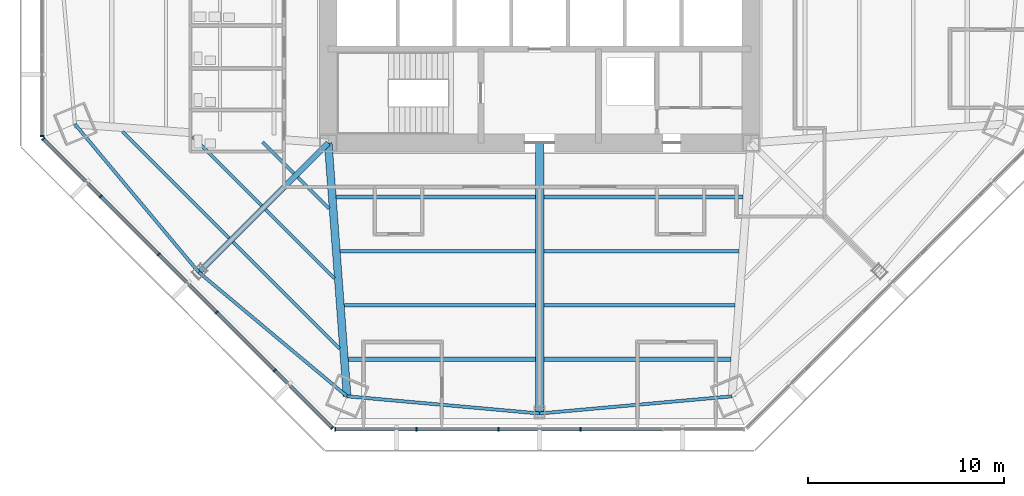
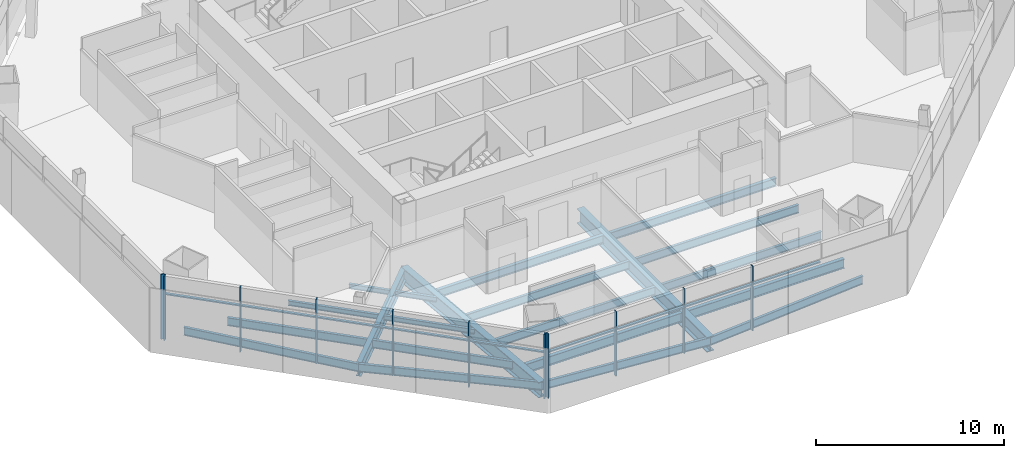
# One storey, part 2 of 17: 21 beams, 20 members, 3 elements without a shape of their own.
"""IFC4 building model written with IfcOpenShell, lengths in metres."""

from ifc_helpers import new_model, si_unit, direction, frame, origin, origin_2d, place, context, subcontext, project, spatial, rectangle, i_section, extrude, source, transform, mapped, material, material_profile, profile_set, type_object, type_shapes, element, aggregate, save


model = new_model("IFC4")

# Units and contexts
model_context = context("Model", 3, precision=1e-05, world=origin(), true_north=direction((0.0, 1.0)))
body_context = subcontext(model_context, "Body", "Model", "MODEL_VIEW")
ifc_project = project(units=[si_unit("LENGTHUNIT", "METRE"), si_unit("AREAUNIT", "SQUARE_METRE"), si_unit("VOLUMEUNIT", "CUBIC_METRE"), si_unit("PLANEANGLEUNIT", "RADIAN"), si_unit("MASSUNIT", "GRAM", prefix="KILO")], contexts=[model_context])

# Site, building, storey
site_placement = place(None, origin())
site = spatial("IfcSite", under=ifc_project, at=site_placement, CompositionType="ELEMENT")
building_placement = place(site_placement, origin())
building = spatial("IfcBuilding", under=site, at=building_placement, Name="Mashrafa Tower", CompositionType="ELEMENT")
storey_placement = place(building_placement, frame((0.0, 0.0, 91.800048828125)))
storey = spatial("IfcBuildingStorey", under=building, at=storey_placement, Name="L20", CompositionType="ELEMENT", Elevation=91.800048828125)

# Beams
ifc_material_1 = material(Name="Steel ASTM A992", Category="steel")
ifc_material_profile_1 = material_profile(ifc_material_1, i_section(OverallWidth=0.164794921875, OverallDepth=0.309814453125, WebThickness=0.005859375, FlangeThickness=0.009765625, FilletRadius=0.007568359375, at=origin_2d()), Name="W12X26")
ifc_profile_set_1 = profile_set([ifc_material_profile_1], Name="Steel ASTM A992")
beam_type_1 = type_object("IfcBeamType", Name="Beam W12X26", PredefinedType="BEAM", material=ifc_profile_set_1)
beam_1_placement = place(storey_placement, frame((-14.208740234375, -14.002197265625, -0.320068359375), z_axis=(-0.707082237816, 0.707131323705, 0.0), x_axis=(-0.707131323705, -0.707082237816, 0.0)))
element("IfcBeam", 1, at=beam_1_placement, inside=storey, type_object=beam_type_1, Name="Floor beam L20 012", PredefinedType="BEAM", context=body_context, shape_type="SweptSolid", body=[
    extrude(i_section(OverallWidth=0.164794921875, OverallDepth=0.309814453125, WebThickness=0.005859375, FlangeThickness=0.009765625, FilletRadius=0.007568359375, at=origin_2d()), origin(), (0.0, 0.0, 1.0), 4.9736328125),
])
for number, where, z_axis, x_axis, name in (
    (2, (-12.555908203125, -12.349365234375, -0.320068359375), (-0.707160785599, 0.707052772649, 0.0), (-0.707052772649, -0.707160785599, 0.0), "Floor beam L20 016"),
    (3, (-10.751220703125, -14.154296875, -0.320068359375), (-0.707052772649, 0.707160785599, 0.0), (-0.707160785599, -0.707052772649, 0.0), "Floor beam L20 019"),
):
    element("IfcBeam", number, at=place(storey_placement, frame(where, z_axis=z_axis, x_axis=x_axis)), inside=storey, type_object=beam_type_1, Name=name, PredefinedType="BEAM", context=body_context, shape_type="SweptSolid", body=[
        extrude(i_section(OverallWidth=0.164794921875, OverallDepth=0.309814453125, WebThickness=0.005859375, FlangeThickness=0.009765625, FilletRadius=0.007568359375, at=origin_2d()), origin(), (0.0, 0.0, 1.0), 2.26025390625),
    ])
beam_2_placement = place(storey_placement, frame((-10.485107421875, -17.7255859375, -0.320068359375), z_axis=(-0.707131323705, 0.707082237816, 0.0), x_axis=(-0.707082237816, -0.707131323705, 0.0)))
element("IfcBeam", 4, at=beam_2_placement, inside=storey, type_object=beam_type_1, Name="Floor beam L20 021", PredefinedType="BEAM", context=body_context, shape_type="SweptSolid", body=[
    extrude(i_section(OverallWidth=0.164794921875, OverallDepth=0.309814453125, WebThickness=0.005859375, FlangeThickness=0.009765625, FilletRadius=0.007568359375, at=origin_2d()), origin(), (0.0, 0.0, 1.0), 4.9736328125),
])
ifc_material_2 = material(Name="Steel ASTM A992", Category="steel")
ifc_material_profile_2 = material_profile(ifc_material_2, i_section(OverallWidth=0.165771484375, OverallDepth=0.5283203125, WebThickness=0.009765625, FlangeThickness=0.013671875, FilletRadius=0.012939453125, at=origin_2d()), Name="W21X50")
ifc_profile_set_2 = profile_set([ifc_material_profile_2], Name="Steel ASTM A992")
beam_type_2 = type_object("IfcBeamType", Name="Beam W21X50", PredefinedType="BEAM", material=ifc_profile_set_2)
for number, where, z_axis, x_axis, name in (
    (5, (-15.861328125, -15.65478515625, -0.42919921875), (-0.707106781187, 0.707106781187, 0.0), (-0.707106781187, -0.707106781187, 0.0), "Floor beam L20 009"),
    (6, (-10.21875, -21.29736328125, -0.42919921875), (-0.707106781187, 0.707106781187, 0.0), (-0.707106781187, -0.707106781187, 0.0), "Floor beam L20 023"),
):
    element("IfcBeam", number, at=place(storey_placement, frame(where, z_axis=z_axis, x_axis=x_axis)), inside=storey, type_object=beam_type_2, Name=name, PredefinedType="BEAM", context=body_context, shape_type="SweptSolid", body=[
        extrude(i_section(OverallWidth=0.165771484375, OverallDepth=0.5283203125, WebThickness=0.009765625, FlangeThickness=0.013671875, FilletRadius=0.012939453125, at=origin_2d()), origin(), (0.0, 0.0, 1.0), 7.687744140625),
    ])
beam_3_placement = place(storey_placement, frame((-0.212158203125, -19.093505859375, -0.42919921875), z_axis=(-1.0, 0.0, 0.0), x_axis=(0.0, -1.0, 0.0)))
element("IfcBeam", 7, at=beam_3_placement, inside=storey, type_object=beam_type_2, Name="Floor beam L20 026", PredefinedType="BEAM", context=body_context, shape_type="SweptSolid", body=[
    extrude(i_section(OverallWidth=0.165771484375, OverallDepth=0.5283203125, WebThickness=0.009765625, FlangeThickness=0.013671875, FilletRadius=0.012939453125, at=origin_2d()), origin(), (0.0, 0.0, 1.0), 9.7685546875),
])
beam_4_placement = place(storey_placement, frame((-0.212158203125, -16.3291015625, -0.42919921875), z_axis=(-1.0, 0.0, 0.0), x_axis=(0.0, -1.0, 0.0)))
element("IfcBeam", 8, at=beam_4_placement, inside=storey, type_object=beam_type_2, Name="Floor beam L20 027", PredefinedType="BEAM", context=body_context, shape_type="SweptSolid", body=[
    extrude(i_section(OverallWidth=0.165771484375, OverallDepth=0.5283203125, WebThickness=0.009765625, FlangeThickness=0.013671875, FilletRadius=0.012939453125, at=origin_2d()), origin(), (0.0, 0.0, 1.0), 9.974609375),
])
beam_5_placement = place(storey_placement, frame((9.980712890625, -19.093505859375, -0.42919921875), z_axis=(-1.0, 0.0, 0.0), x_axis=(0.0, -1.0, 0.0)))
element("IfcBeam", 9, at=beam_5_placement, inside=storey, type_object=beam_type_2, Name="Floor beam L20 035", PredefinedType="BEAM", context=body_context, shape_type="SweptSolid", body=[
    extrude(i_section(OverallWidth=0.165771484375, OverallDepth=0.5283203125, WebThickness=0.009765625, FlangeThickness=0.013671875, FilletRadius=0.012939453125, at=origin_2d()), origin(), (0.0, 0.0, 1.0), 9.7685546875),
])
beam_6_placement = place(storey_placement, frame((10.186767578125, -16.3291015625, -0.42919921875), z_axis=(-1.0, 0.0, 0.0), x_axis=(0.0, -1.0, 0.0)))
element("IfcBeam", 10, at=beam_6_placement, inside=storey, type_object=beam_type_2, Name="Floor beam L20 037", PredefinedType="BEAM", context=body_context, shape_type="SweptSolid", body=[
    extrude(i_section(OverallWidth=0.165771484375, OverallDepth=0.5283203125, WebThickness=0.009765625, FlangeThickness=0.013671875, FilletRadius=0.012939453125, at=origin_2d()), origin(), (0.0, 0.0, 1.0), 9.974609375),
])
for number, where, z_axis, x_axis, name in (
    (11, (-23.744384765625, -9.835205078125, -0.42919921875), (0.641431136102, -0.767180616047, 0.0), (0.767180616047, 0.641431136102, 0.0), "Spandrel beam L20 074"),
    (12, (-17.41064453125, -17.41064453125, -0.42919921875), (0.767180616047, -0.641431136102, 0.0), (0.641431136102, 0.767180616047, 0.0), "Spandrel beam L20 076"),
    (13, (-9.835205078125, -23.744384765625, -0.42919921875), (0.996037431546, -0.088935004127, 0.0), (0.088935004127, 0.996037431546, 0.0), "Spandrel beam L20 078"),
    (14, (0.0, -24.62255859375, -0.42919921875), (0.996037431546, 0.088935004127, 0.0), (-0.088935004127, 0.996037431546, 0.0), "Spandrel beam L20 080"),
):
    element("IfcBeam", number, at=place(storey_placement, frame(where, z_axis=z_axis, x_axis=x_axis)), inside=storey, type_object=beam_type_2, Name=name, PredefinedType="BEAM", context=body_context, shape_type="SweptSolid", body=[
        extrude(i_section(OverallWidth=0.165771484375, OverallDepth=0.5283203125, WebThickness=0.009765625, FlangeThickness=0.013671875, FilletRadius=0.012939453125, at=origin_2d()), origin(), (0.0, 0.0, 1.0), 9.874267578125),
    ])
ifc_material_3 = material(Name="Steel ASTM A992", Category="steel")
ifc_material_profile_3 = material_profile(ifc_material_3, i_section(OverallWidth=0.209228515625, OverallDepth=0.533447265625, WebThickness=0.01025390625, FlangeThickness=0.015625, FilletRadius=0.012939453125, at=origin_2d()), Name="W21X62")
ifc_profile_set_3 = profile_set([ifc_material_profile_3], Name="Steel ASTM A992")
beam_type_3 = type_object("IfcBeamType", Name="Beam W21X62", PredefinedType="BEAM", material=ifc_profile_set_3)
for number, where, z_axis, x_axis, name in (
    (15, (-0.212158203125, -13.564453125, -0.431640625), (-1.0, 0.0, 0.0), (0.0, -1.0, 0.0), "Floor beam L20 028"),
    (16, (10.392578125, -13.564453125, -0.431640625), (-1.0, 0.0, 0.0), (0.0, -1.0, 0.0), "Floor beam L20 039"),
):
    element("IfcBeam", number, at=place(storey_placement, frame(where, z_axis=z_axis, x_axis=x_axis)), inside=storey, type_object=beam_type_3, Name=name, PredefinedType="BEAM", context=body_context, shape_type="SweptSolid", body=[
        extrude(i_section(OverallWidth=0.209228515625, OverallDepth=0.533447265625, WebThickness=0.01025390625, FlangeThickness=0.015625, FilletRadius=0.012939453125, at=origin_2d()), origin(), (0.0, 0.0, 1.0), 10.180419921875),
    ])
ifc_material_4 = material(Name="Steel ASTM A992", Category="steel")
ifc_material_profile_4 = material_profile(ifc_material_4, i_section(OverallWidth=0.227783203125, OverallDepth=0.60205078125, WebThickness=0.010498046875, FlangeThickness=0.014892578125, FilletRadius=0.012939453125, at=origin_2d()), Name="W24X68")
ifc_profile_set_4 = profile_set([ifc_material_profile_4], Name="Steel ASTM A992")
beam_type_4 = type_object("IfcBeamType", Name="Beam W24X68", PredefinedType="BEAM", material=ifc_profile_set_4)
for number, where, z_axis, x_axis, name in (
    (17, (-0.212158203125, -21.85791015625, -0.466064453125), (-1.0, 0.0, 0.0), (0.0, -1.0, 0.0), "Floor beam L20 025"),
    (18, (9.774658203125, -21.85791015625, -0.466064453125), (-1.0, 0.0, 0.0), (0.0, -1.0, 0.0), "Floor beam L20 033"),
):
    element("IfcBeam", number, at=place(storey_placement, frame(where, z_axis=z_axis, x_axis=x_axis)), inside=storey, type_object=beam_type_4, Name=name, PredefinedType="BEAM", context=body_context, shape_type="SweptSolid", body=[
        extrude(i_section(OverallWidth=0.227783203125, OverallDepth=0.60205078125, WebThickness=0.010498046875, FlangeThickness=0.014892578125, FilletRadius=0.012939453125, at=origin_2d()), origin(), (0.0, 0.0, 1.0), 9.5625),
    ])
ifc_material_5 = material(Name="Steel ASTM A992", Category="steel")
ifc_material_profile_5 = material_profile(ifc_material_5, i_section(OverallWidth=0.2919921875, OverallDepth=0.845703125, WebThickness=0.015380859375, FlangeThickness=0.0244140625, FilletRadius=0.017333984375, at=origin_2d()), Name="W33X141")
ifc_profile_set_5 = profile_set([ifc_material_profile_5], Name="Steel ASTM A992")
beam_type_5 = type_object("IfcBeamType", Name="Beam W33X141", PredefinedType="BEAM", material=ifc_profile_set_5)
beam_7_placement = place(storey_placement, frame((-10.800048828125, -10.800048828125, -0.587890625), z_axis=(-0.707106781187, -0.707106781187, 0.0), x_axis=(0.707106781187, -0.707106781187, 0.0)))
element("IfcBeam", 19, at=beam_7_placement, inside=storey, type_object=beam_type_5, Name="Radial girder L20 058", PredefinedType="BEAM", context=body_context, shape_type="SweptSolid", body=[
    extrude(i_section(OverallWidth=0.2919921875, OverallDepth=0.845703125, WebThickness=0.015380859375, FlangeThickness=0.0244140625, FilletRadius=0.017333984375, at=origin_2d()), origin(), (0.0, 0.0, 1.0), 9.348876953125),
])
ifc_material_6 = material(Name="Steel ASTM A992", Category="steel")
ifc_material_profile_6 = material_profile(ifc_material_6, i_section(OverallWidth=0.424072265625, OverallDepth=0.960205078125, WebThickness=0.028564453125, FlangeThickness=0.051025390625, FilletRadius=0.02001953125, at=origin_2d()), Name="W36X361")
ifc_profile_set_6 = profile_set([ifc_material_profile_6], Name="Steel ASTM A992")
beam_type_6 = type_object("IfcBeamType", Name="Beam W36X361", PredefinedType="BEAM", material=ifc_profile_set_6)
beam_8_placement = place(storey_placement, frame((0.0, -10.800048828125, -0.64501953125), z_axis=(0.0, -1.0, 0.0), x_axis=(1.0, 0.0, 0.0)))
element("IfcBeam", 20, at=beam_8_placement, inside=storey, type_object=beam_type_6, Name="Radial girder L20 064", PredefinedType="BEAM", context=body_context, shape_type="SweptSolid", body=[
    extrude(i_section(OverallWidth=0.424072265625, OverallDepth=0.960205078125, WebThickness=0.028564453125, FlangeThickness=0.051025390625, FilletRadius=0.02001953125, at=origin_2d()), origin(), (0.0, 0.0, 1.0), 13.822509765625),
])
ifc_material_7 = material(Name="Steel ASTM A992", Category="steel")
ifc_material_profile_7 = material_profile(ifc_material_7, i_section(OverallWidth=0.4013671875, OverallDepth=1.010986328125, WebThickness=0.023681640625, FlangeThickness=0.0419921875, FilletRadius=0.02001953125, at=origin_2d()), Name="W40X297")
ifc_profile_set_7 = profile_set([ifc_material_profile_7], Name="Steel ASTM A992")
beam_type_7 = type_object("IfcBeamType", Name="Beam W40X297", PredefinedType="BEAM", material=ifc_profile_set_7)
beam_9_placement = place(storey_placement, frame((-10.800048828125, -10.800048828125, -0.67041015625), z_axis=(0.074331706471, -0.997233572145, 0.0), x_axis=(0.997233572145, 0.074331706471, 0.0)))
element("IfcBeam", 21, at=beam_9_placement, inside=storey, type_object=beam_type_7, Name="Radial girder L20 059", PredefinedType="BEAM", context=body_context, shape_type="SweptSolid", body=[
    extrude(i_section(OverallWidth=0.4013671875, OverallDepth=1.010986328125, WebThickness=0.023681640625, FlangeThickness=0.0419921875, FilletRadius=0.02001953125, at=origin_2d()), origin(), (0.0, 0.0, 1.0), 12.980224609375),
])

# Curtain wall, member
ifc_material_8 = material(Name="Unitised aluminium curtain wall", Category="aluminium")
curtain_wall_type = type_object("IfcCurtainWallType", Name="Office curtain wall, zone 1 CW-A 200 deep", PredefinedType="NOTDEFINED", material=ifc_material_8)
curtain_wall_1_placement = place(storey_placement, origin())
curtain_wall_1 = element("IfcCurtainWall", 22, at=curtain_wall_1_placement, inside=storey, type_object=curtain_wall_type, Name="Office curtain wall, zone 1 L20 west", PredefinedType="NOTDEFINED")
ifc_material_9 = material(Name="Extruded aluminium mullion", Category="aluminium")
ifc_material_profile_8 = material_profile(ifc_material_9, rectangle(XDim=0.199951171875, YDim=0.06494140625, at=origin_2d()), Name="Mullion 65x200")
ifc_profile_set_8 = profile_set([ifc_material_profile_8], Name="Extruded aluminium mullion")
member_type_1 = type_object("IfcMemberType", Name="Mullion CW-A 65 x 200", PredefinedType="MULLION", material=ifc_profile_set_8)
shared_shape_1 = source(origin(), body_context, "Body", "SweptSolid", [
    extrude(rectangle(XDim=0.199951171875, YDim=0.06494140625, at=origin_2d()), origin(), (0.0, 0.0, 1.0), 4.199951171875),
])
type_shapes(member_type_1, [shared_shape_1])
member_1_placement = place(storey_placement, frame((-25.417724609375, -10.444580078125, 0.0), z_axis=(0.0, 0.0, 1.0), x_axis=(1.0, 0.0, 0.0)))
member_1 = element("IfcMember", 23, at=member_1_placement, type_object=member_type_1, Name="CW-A mullion 6", PredefinedType="MULLION", context=body_context, shape_type="MappedRepresentation", body=[
    mapped(shared_shape_1, transform((0.0, 0.0, 0.0))),
])
aggregate(curtain_wall_1, [member_1])

# Curtain wall, members
curtain_wall_2_placement = place(storey_placement, origin())
curtain_wall_2 = element("IfcCurtainWall", 24, at=curtain_wall_2_placement, inside=storey, type_object=curtain_wall_type, Name="Office curtain wall, zone 1 L20 south-west", PredefinedType="NOTDEFINED")
member_2_placement = place(storey_placement, frame((-25.3583984375, -10.587646484375, 0.0), z_axis=(0.0, 0.0, 1.0), x_axis=(0.707106781187, 0.707106781187, 0.0)))
member_2 = element("IfcMember", 25, at=member_2_placement, type_object=member_type_1, Name="CW-A mullion 1", PredefinedType="MULLION", context=body_context, shape_type="MappedRepresentation", body=[
    mapped(shared_shape_1, transform((0.0, 0.0, 0.0))),
])
member_3_placement = place(storey_placement, frame((-22.418212890625, -13.528076171875, 0.0), z_axis=(0.0, 0.0, 1.0), x_axis=(0.707106781187, 0.707106781187, 0.0)))
member_3 = element("IfcMember", 26, at=member_3_placement, type_object=member_type_1, Name="CW-A mullion 2", PredefinedType="MULLION", context=body_context, shape_type="MappedRepresentation", body=[
    mapped(shared_shape_1, transform((0.0, 0.0, 0.0))),
])
member_4_placement = place(storey_placement, frame((-19.454833984375, -16.491455078125, 0.0), z_axis=(0.0, 0.0, 1.0), x_axis=(0.707106781187, 0.707106781187, 0.0)))
member_4 = element("IfcMember", 27, at=member_4_placement, type_object=member_type_1, Name="CW-A mullion 3", PredefinedType="MULLION", context=body_context, shape_type="MappedRepresentation", body=[
    mapped(shared_shape_1, transform((0.0, 0.0, 0.0))),
])
member_5_placement = place(storey_placement, frame((-16.491455078125, -19.454833984375, 0.0), z_axis=(0.0, 0.0, 1.0), x_axis=(0.707106781187, 0.707106781187, 0.0)))
member_5 = element("IfcMember", 28, at=member_5_placement, type_object=member_type_1, Name="CW-A mullion 4", PredefinedType="MULLION", context=body_context, shape_type="MappedRepresentation", body=[
    mapped(shared_shape_1, transform((0.0, 0.0, 0.0))),
])
member_6_placement = place(storey_placement, frame((-13.528076171875, -22.418212890625, 0.0), z_axis=(0.0, 0.0, 1.0), x_axis=(0.707106781187, 0.707106781187, 0.0)))
member_6 = element("IfcMember", 29, at=member_6_placement, type_object=member_type_1, Name="CW-A mullion 5", PredefinedType="MULLION", context=body_context, shape_type="MappedRepresentation", body=[
    mapped(shared_shape_1, transform((0.0, 0.0, 0.0))),
])
member_7_placement = place(storey_placement, frame((-10.587646484375, -25.3583984375, 0.0), z_axis=(0.0, 0.0, 1.0), x_axis=(0.707106781187, 0.707106781187, 0.0)))
member_7 = element("IfcMember", 30, at=member_7_placement, type_object=member_type_1, Name="CW-A mullion 6", PredefinedType="MULLION", context=body_context, shape_type="MappedRepresentation", body=[
    mapped(shared_shape_1, transform((0.0, 0.0, 0.0))),
])

curtain_wall_3_placement = place(storey_placement, origin())
curtain_wall_3 = element("IfcCurtainWall", 31, at=curtain_wall_3_placement, inside=storey, type_object=curtain_wall_type, Name="Office curtain wall, zone 1 L20 south", PredefinedType="NOTDEFINED")
member_8_placement = place(storey_placement, frame((-10.444580078125, -25.417724609375, 0.0), z_axis=(0.0, 0.0, 1.0), x_axis=(0.0, 1.0, 0.0)))
member_8 = element("IfcMember", 32, at=member_8_placement, type_object=member_type_1, Name="CW-A mullion 1", PredefinedType="MULLION", context=body_context, shape_type="MappedRepresentation", body=[
    mapped(shared_shape_1, transform((0.0, 0.0, 0.0))),
])
member_9_placement = place(storey_placement, frame((-6.2861328125, -25.417724609375, 0.0), z_axis=(0.0, 0.0, 1.0), x_axis=(0.0, 1.0, 0.0)))
member_9 = element("IfcMember", 33, at=member_9_placement, type_object=member_type_1, Name="CW-A mullion 2", PredefinedType="MULLION", context=body_context, shape_type="MappedRepresentation", body=[
    mapped(shared_shape_1, transform((0.0, 0.0, 0.0))),
])
member_10_placement = place(storey_placement, frame((-2.095458984375, -25.417724609375, 0.0), z_axis=(0.0, 0.0, 1.0), x_axis=(0.0, 1.0, 0.0)))
member_10 = element("IfcMember", 34, at=member_10_placement, type_object=member_type_1, Name="CW-A mullion 3", PredefinedType="MULLION", context=body_context, shape_type="MappedRepresentation", body=[
    mapped(shared_shape_1, transform((0.0, 0.0, 0.0))),
])
member_11_placement = place(storey_placement, frame((2.095458984375, -25.417724609375, 0.0), z_axis=(0.0, 0.0, 1.0), x_axis=(0.0, 1.0, 0.0)))
member_11 = element("IfcMember", 35, at=member_11_placement, type_object=member_type_1, Name="CW-A mullion 4", PredefinedType="MULLION", context=body_context, shape_type="MappedRepresentation", body=[
    mapped(shared_shape_1, transform((0.0, 0.0, 0.0))),
])

# Member
ifc_material_10 = material(Name="Extruded aluminium transom", Category="aluminium")
ifc_material_profile_9 = material_profile(ifc_material_10, rectangle(XDim=0.159912109375, YDim=0.080078125, at=origin_2d()), Name="Transom 80x160")
ifc_profile_set_9 = profile_set([ifc_material_profile_9], Name="Extruded aluminium transom")
member_type_2 = type_object("IfcMemberType", Name="Transom CW-A 80 x 160", PredefinedType="MULLION", material=ifc_profile_set_9)
shared_shape_2 = source(origin(), body_context, "Body", "SweptSolid", [
    extrude(rectangle(XDim=0.159912109375, YDim=0.080078125, at=origin_2d()), origin(), (0.0, 0.0, 1.0), 4.09326171875),
])
member_12_placement = place(storey_placement, frame((-25.33544921875, -10.61083984375, 3.0), z_axis=(0.707106781187, -0.707106781187, 0.0), x_axis=(0.707106781187, 0.707106781187, 0.0)))
member_12 = element("IfcMember", 36, at=member_12_placement, type_object=member_type_2, Name="CW-A transom 1", PredefinedType="MULLION", context=body_context, shape_type="MappedRepresentation", body=[
    mapped(shared_shape_2, transform((0.0, 0.0, 0.0))),
])

member_13_placement = place(storey_placement, frame((-13.505126953125, -22.441162109375, 3.0), z_axis=(0.707106781187, -0.707106781187, 0.0), x_axis=(0.707106781187, 0.707106781187, 0.0)))
member_13 = element("IfcMember", 37, at=member_13_placement, type_object=member_type_2, Name="CW-A transom 5", PredefinedType="MULLION", context=body_context, shape_type="MappedRepresentation", body=[
    mapped(shared_shape_2, transform((0.0, 0.0, 0.0))),
])

member_14_placement = place(storey_placement, frame((-10.411865234375, -25.417724609375, 3.0), z_axis=(1.0, 0.0, 0.0), x_axis=(0.0, 1.0, 0.0)))
member_14 = element("IfcMember", 38, at=member_14_placement, type_object=member_type_2, Name="CW-A transom 1", PredefinedType="MULLION", context=body_context, shape_type="MappedRepresentation", body=[
    mapped(shared_shape_2, transform((0.0, 0.0, 0.0))),
])

shared_shape_3 = source(origin(), body_context, "Body", "SweptSolid", [
    extrude(rectangle(XDim=0.159912109375, YDim=0.080078125, at=origin_2d()), origin(), (0.0, 0.0, 1.0), 4.125732421875),
])
member_15_placement = place(storey_placement, frame((-6.253662109375, -25.417724609375, 3.0), z_axis=(1.0, 0.0, 0.0), x_axis=(0.0, 1.0, 0.0)))
member_15 = element("IfcMember", 39, at=member_15_placement, type_object=member_type_2, Name="CW-A transom 2", PredefinedType="MULLION", context=body_context, shape_type="MappedRepresentation", body=[
    mapped(shared_shape_3, transform((0.0, 0.0, 0.0))),
])

member_16_placement = place(storey_placement, frame((2.1279296875, -25.417724609375, 3.0), z_axis=(1.0, 0.0, 0.0), x_axis=(0.0, 1.0, 0.0)))
member_16 = element("IfcMember", 40, at=member_16_placement, type_object=member_type_2, Name="CW-A transom 4", PredefinedType="MULLION", context=body_context, shape_type="MappedRepresentation", body=[
    mapped(shared_shape_3, transform((0.0, 0.0, 0.0))),
])

shared_shape_4 = source(origin(), body_context, "Body", "SweptSolid", [
    extrude(rectangle(XDim=0.159912109375, YDim=0.080078125, at=origin_2d()), origin(), (0.0, 0.0, 1.0), 4.1259765625),
])
type_shapes(member_type_2, [shared_shape_2, shared_shape_3, shared_shape_4])
member_17_placement = place(storey_placement, frame((-22.395263671875, -13.551025390625, 3.0), z_axis=(0.707106781187, -0.707106781187, 0.0), x_axis=(0.707106781187, 0.707106781187, 0.0)))
member_17 = element("IfcMember", 41, at=member_17_placement, type_object=member_type_2, Name="CW-A transom 2", PredefinedType="MULLION", context=body_context, shape_type="MappedRepresentation", body=[
    mapped(shared_shape_4, transform((0.0, 0.0, 0.0))),
])

member_18_placement = place(storey_placement, frame((-19.431884765625, -16.514404296875, 3.0), z_axis=(0.707106781187, -0.707106781187, 0.0), x_axis=(0.707106781187, 0.707106781187, 0.0)))
member_18 = element("IfcMember", 42, at=member_18_placement, type_object=member_type_2, Name="CW-A transom 3", PredefinedType="MULLION", context=body_context, shape_type="MappedRepresentation", body=[
    mapped(shared_shape_4, transform((0.0, 0.0, 0.0))),
])

member_19_placement = place(storey_placement, frame((-16.468505859375, -19.477783203125, 3.0), z_axis=(0.707106781187, -0.707106781187, 0.0), x_axis=(0.707106781187, 0.707106781187, 0.0)))
member_19 = element("IfcMember", 43, at=member_19_placement, type_object=member_type_2, Name="CW-A transom 4", PredefinedType="MULLION", context=body_context, shape_type="MappedRepresentation", body=[
    mapped(shared_shape_4, transform((0.0, 0.0, 0.0))),
])

aggregate(curtain_wall_2, [member_2, member_3, member_4, member_5, member_6, member_7, member_12, member_17, member_18, member_19, member_13])

member_20_placement = place(storey_placement, frame((-2.06298828125, -25.417724609375, 3.0), z_axis=(1.0, 0.0, 0.0), x_axis=(0.0, 1.0, 0.0)))
member_20 = element("IfcMember", 44, at=member_20_placement, type_object=member_type_2, Name="CW-A transom 3", PredefinedType="MULLION", context=body_context, shape_type="MappedRepresentation", body=[
    mapped(shared_shape_4, transform((0.0, 0.0, 0.0))),
])

aggregate(curtain_wall_3, [member_8, member_9, member_10, member_11, member_14, member_15, member_20, member_16])

save(model, "model.ifc")
